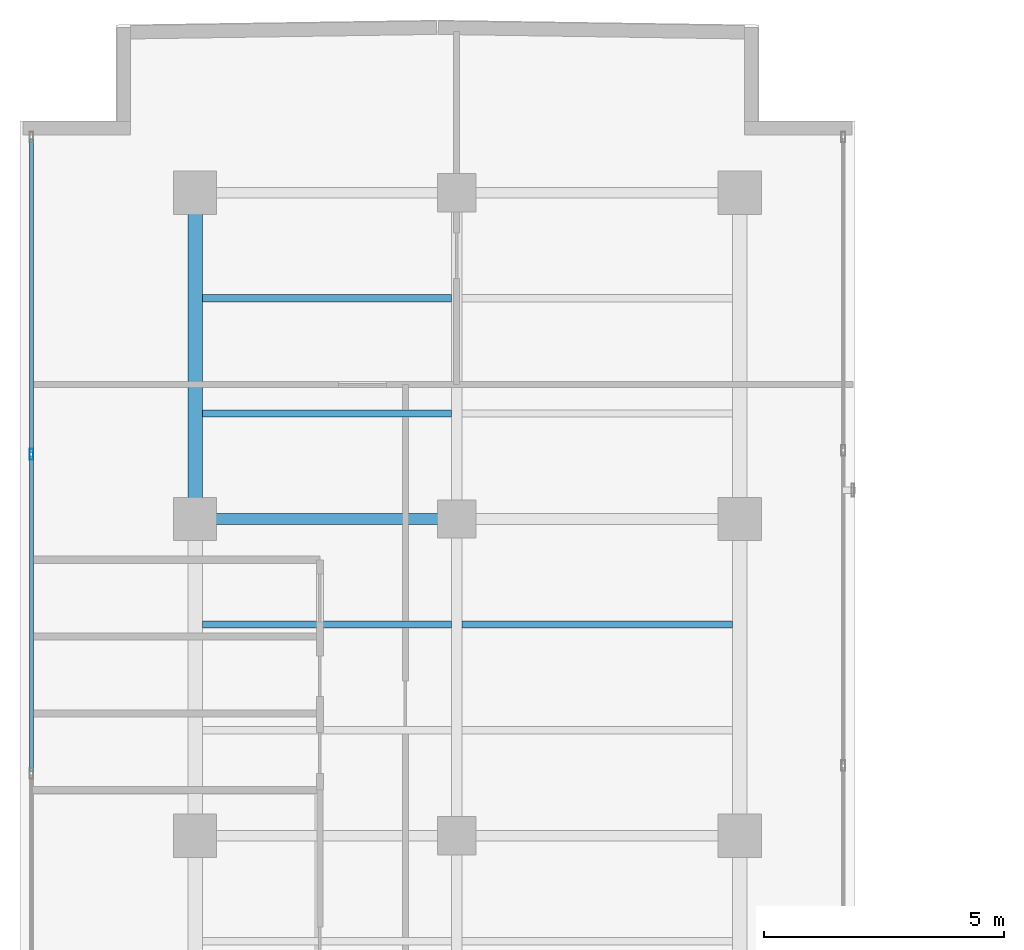
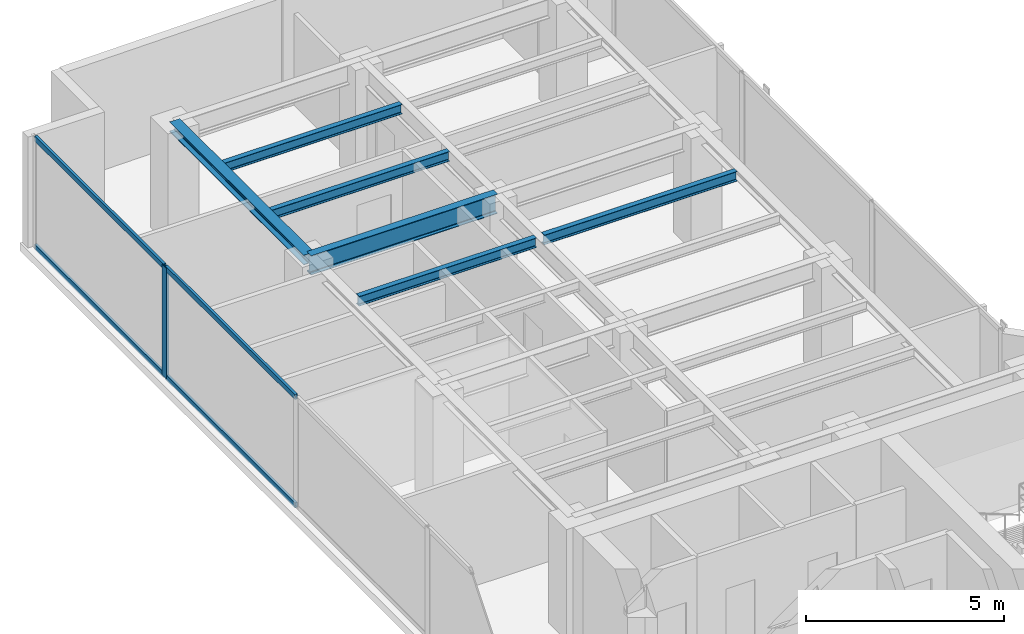
# One storey, part 12 of 23: 6 beams, 5 members, 1 element without a shape of its own.
"""IFC4 building model written with IfcOpenShell, lengths in metres."""

from ifc_helpers import new_model, si_unit, direction, frame, origin, origin_with_axes, origin_2d, place, context, subcontext, project, spatial, hollow_rectangle, i_section, extrude, source, transform, mapped, material, layer, layer_set, material_profile, profile_set, type_object, element, aggregate, save


model = new_model("IFC4")

# Units and contexts
model_context = context("Model", 3, precision=1e-05, world=origin(), true_north=direction((0.0, 1.0)))
body_context = subcontext(model_context, "Body", "Model", "MODEL_VIEW")
ifc_project = project(units=[si_unit("LENGTHUNIT", "METRE"), si_unit("AREAUNIT", "SQUARE_METRE"), si_unit("VOLUMEUNIT", "CUBIC_METRE"), si_unit("PLANEANGLEUNIT", "RADIAN"), si_unit("MASSUNIT", "GRAM", prefix="KILO")], contexts=[model_context])

# Site, building, storey
site_placement = place(None, origin())
site = spatial("IfcSite", under=ifc_project, at=site_placement, CompositionType="ELEMENT")
building_placement = place(site_placement, origin())
building = spatial("IfcBuilding", under=site, at=building_placement, Name="Kolvaren Waterfront Exchange", CompositionType="ELEMENT")
storey_placement = place(building_placement, frame((0.0, 0.0, 335.0)))
storey = spatial("IfcBuildingStorey", under=building, at=storey_placement, Name="L86", CompositionType="ELEMENT", Elevation=335.0)

# Beams
ifc_material_1 = material(Name="Steel S355", Category="steel")
ifc_material_profile_1 = material_profile(ifc_material_1, i_section(OverallWidth=0.300048828125, OverallDepth=0.300048828125, WebThickness=0.010986328125, FlangeThickness=0.01904296875, FilletRadius=0.027099609375, at=origin_2d()), Name="HEB300")
ifc_profile_set_1 = profile_set([ifc_material_profile_1], Name="Steel S355")
beam_type_1 = type_object("IfcBeamType", Name="STR-BM-HEB300", PredefinedType="SPANDREL", material=ifc_profile_set_1)
beam_1_placement = place(storey_placement, frame((7.449951171875, 37.800048828125, 3.27001953125), z_axis=(0.0, 1.0, 0.0), x_axis=(-1.0, 0.0, 0.0)))
element("IfcBeam", 1, at=beam_1_placement, inside=storey, type_object=beam_type_1, Name="L86 north-arm edge beam 3", PredefinedType="SPANDREL", context=body_context, shape_type="SweptSolid", body=[
    extrude(i_section(OverallWidth=0.300048828125, OverallDepth=0.300048828125, WebThickness=0.010986328125, FlangeThickness=0.01904296875, FilletRadius=0.027099609375, at=origin_2d()), origin(), (0.0, 0.0, 1.0), 6.800048828125),
])
ifc_material_profile_2 = material_profile(ifc_material_1, i_section(OverallWidth=0.14990234375, OverallDepth=0.300048828125, WebThickness=0.007080078125, FlangeThickness=0.0107421875, FilletRadius=0.014892578125, at=origin_2d()), Name="IPE300")
ifc_profile_set_2 = profile_set([ifc_material_profile_2], Name="Steel S355")
beam_type_2 = type_object("IfcBeamType", Name="STR-BM-IPE300", PredefinedType="JOIST", material=ifc_profile_set_2)
beam_2_placement = place(storey_placement, frame((7.60205078125, 35.60009765625, 3.27001953125), z_axis=(1.0, 0.0, 0.0), x_axis=(0.0, 1.0, 0.0)))
element("IfcBeam", 2, at=beam_2_placement, inside=storey, type_object=beam_type_2, Name="L86 north-arm composite joist 4A", PredefinedType="JOIST", context=body_context, shape_type="SweptSolid", body=[
    extrude(i_section(OverallWidth=0.14990234375, OverallDepth=0.300048828125, WebThickness=0.007080078125, FlangeThickness=0.0107421875, FilletRadius=0.014892578125, at=origin_2d()), origin(), (0.0, 0.0, 1.0), 5.18603515625),
])
beam_3_placement = place(storey_placement, frame((13.011962890625, 35.60009765625, 3.27001953125), z_axis=(1.0, 0.0, 0.0), x_axis=(0.0, 1.0, 0.0)))
element("IfcBeam", 3, at=beam_3_placement, inside=storey, type_object=beam_type_2, Name="L86 north-arm composite joist 4B", PredefinedType="JOIST", context=body_context, shape_type="SweptSolid", body=[
    extrude(i_section(OverallWidth=0.14990234375, OverallDepth=0.300048828125, WebThickness=0.007080078125, FlangeThickness=0.0107421875, FilletRadius=0.014892578125, at=origin_2d()), origin(), (0.0, 0.0, 1.0), 5.635986328125),
])
for number, where, z_axis, x_axis, name in (
    (4, (7.60205078125, 40.0, 3.27001953125), (1.0, 0.0, 0.0), (0.0, 1.0, 0.0), "L86 north-arm composite joist 5A"),
    (5, (7.60205078125, 42.39990234375, 3.27001953125), (1.0, 0.0, 0.0), (0.0, 1.0, 0.0), "L86 north-arm composite joist 6A"),
):
    element("IfcBeam", number, at=place(storey_placement, frame(where, z_axis=z_axis, x_axis=x_axis)), inside=storey, type_object=beam_type_2, Name=name, PredefinedType="JOIST", context=body_context, shape_type="SweptSolid", body=[
        extrude(i_section(OverallWidth=0.14990234375, OverallDepth=0.300048828125, WebThickness=0.007080078125, FlangeThickness=0.0107421875, FilletRadius=0.014892578125, at=origin_2d()), origin(), (0.0, 0.0, 1.0), 5.18603515625),
    ])
ifc_material_profile_3 = material_profile(ifc_material_1, i_section(OverallWidth=0.219970703125, OverallDepth=0.60009765625, WebThickness=0.011962890625, FlangeThickness=0.01904296875, FilletRadius=0.02392578125, at=origin_2d()), Name="IPE600")
ifc_profile_set_3 = profile_set([ifc_material_profile_3], Name="Steel S355")
beam_type_3 = type_object("IfcBeamType", Name="STR-BM-IPE600", PredefinedType="BEAM", material=ifc_profile_set_3)
beam_4_placement = place(storey_placement, frame((7.449951171875, 37.800048828125, 3.1201171875), z_axis=(1.0, 0.0, 0.0), x_axis=(0.0, 1.0, 0.0)))
element("IfcBeam", 6, at=beam_4_placement, inside=storey, type_object=beam_type_3, Name="L86 north-arm girder 3A", PredefinedType="BEAM", context=body_context, shape_type="SweptSolid", body=[
    extrude(i_section(OverallWidth=0.219970703125, OverallDepth=0.60009765625, WebThickness=0.011962890625, FlangeThickness=0.01904296875, FilletRadius=0.02392578125, at=origin_2d()), origin(), (0.0, 0.0, 1.0), 5.449951171875),
])

# Curtain wall, members
ifc_material_2 = material(Name="Anodised aluminium 6063-T6", Category="aluminium")
ifc_layer = layer(ifc_material_2, 0.219970703125, Name="Anodised aluminium 6063-T6")
ifc_layer_set = layer_set([ifc_layer], Name="Anodised aluminium 6063-T6")
curtain_wall_type = type_object("IfcCurtainWallType", Name="ARC-CW-SYS2", PredefinedType="USERDEFINED", material=ifc_layer_set)
curtain_wall_placement = place(storey_placement, origin())
curtain_wall = element("IfcCurtainWall", 7, at=curtain_wall_placement, inside=storey, type_object=curtain_wall_type, Name="L86 stick curtain wall CW2 (CW-L86-W)", ObjectType="STICK CURTAIN WALL", PredefinedType="USERDEFINED")
ifc_material_profile_4 = material_profile(ifc_material_2, hollow_rectangle(XDim=0.080078125, YDim=0.219970703125, WallThickness=0.0048828125, at=origin_2d()), Name="ALU-MUL-220x80x5")
ifc_profile_set_4 = profile_set([ifc_material_profile_4], Name="Anodised aluminium 6063-T6")
member_type_1 = type_object("IfcMemberType", Name="ARC-CWM-220", PredefinedType="MULLION", material=ifc_profile_set_4)
shared_shape_1 = source(origin_with_axes(), body_context, "Body", "SweptSolid", [
    extrude(hollow_rectangle(XDim=0.080078125, YDim=0.219970703125, WallThickness=0.0048828125, at=origin_2d()), origin(), (0.0, 0.0, 1.0), 3.419921875),
])
member_1_placement = place(storey_placement, frame((4.0400390625, 39.14990234375, 0.0), z_axis=(0.0, 0.0, 1.0), x_axis=(-1.0, 0.0, 0.0)))
member_1 = element("IfcMember", 8, at=member_1_placement, type_object=member_type_1, Name="CW2 mullion 6", PredefinedType="MULLION", context=body_context, shape_type="MappedRepresentation", body=[
    mapped(shared_shape_1, transform((0.0, 0.0, 0.0), x_axis=(1.0, 0.0, 0.0), y_axis=(0.0, 1.0, 0.0), z_axis=(0.0, 0.0, 1.0), scale=1.0)),
])
ifc_material_profile_5 = material_profile(ifc_material_2, hollow_rectangle(XDim=0.074951171875, YDim=0.159912109375, WallThickness=0.00439453125, at=origin_2d()), Name="ALU-TRN-160x75x4.5")
ifc_profile_set_5 = profile_set([ifc_material_profile_5], Name="Anodised aluminium 6063-T6")
member_type_2 = type_object("IfcMemberType", Name="ARC-CWT-160", PredefinedType="USERDEFINED", material=ifc_profile_set_5)
shared_shape_2 = source(origin_with_axes(), body_context, "Body", "SweptSolid", [
    extrude(hollow_rectangle(XDim=0.074951171875, YDim=0.159912109375, WallThickness=0.00439453125, at=origin_2d()), origin(), (0.0, 0.0, 1.0), 6.530029296875),
])
member_2_placement = place(storey_placement, frame((4.0400390625, 39.18994140625, 0.03759765625), z_axis=(0.0, 1.0, 0.0), x_axis=(-1.0, 0.0, 0.0)))
member_2 = element("IfcMember", 9, at=member_2_placement, type_object=member_type_2, Name="CW2 transom 6.1", ObjectType="TRANSOM", PredefinedType="USERDEFINED", context=body_context, shape_type="MappedRepresentation", body=[
    mapped(shared_shape_2, transform((0.0, 0.0, 0.0), x_axis=(1.0, 0.0, 0.0), y_axis=(0.0, 1.0, 0.0), z_axis=(0.0, 0.0, 1.0), scale=1.0)),
])
member_3_placement = place(storey_placement, frame((4.0400390625, 39.18994140625, 3.382568359375), z_axis=(0.0, 1.0, 0.0), x_axis=(-1.0, 0.0, 0.0)))
member_3 = element("IfcMember", 10, at=member_3_placement, type_object=member_type_2, Name="CW2 transom 6.2", ObjectType="TRANSOM", PredefinedType="USERDEFINED", context=body_context, shape_type="MappedRepresentation", body=[
    mapped(shared_shape_2, transform((0.0, 0.0, 0.0), x_axis=(1.0, 0.0, 0.0), y_axis=(0.0, 1.0, 0.0), z_axis=(0.0, 0.0, 1.0), scale=1.0)),
])
shared_shape_3 = source(origin_with_axes(), body_context, "Body", "SweptSolid", [
    extrude(hollow_rectangle(XDim=0.074951171875, YDim=0.159912109375, WallThickness=0.00439453125, at=origin_2d()), origin(), (0.0, 0.0, 1.0), 6.570068359375),
])
member_4_placement = place(storey_placement, frame((4.0400390625, 32.5400390625, 0.03759765625), z_axis=(0.0, 1.0, 0.0), x_axis=(-1.0, 0.0, 0.0)))
member_4 = element("IfcMember", 11, at=member_4_placement, type_object=member_type_2, Name="CW2 transom 5.1", ObjectType="TRANSOM", PredefinedType="USERDEFINED", context=body_context, shape_type="MappedRepresentation", body=[
    mapped(shared_shape_3, transform((0.0, 0.0, 0.0), x_axis=(1.0, 0.0, 0.0), y_axis=(0.0, 1.0, 0.0), z_axis=(0.0, 0.0, 1.0), scale=1.0)),
])
member_5_placement = place(storey_placement, frame((4.0400390625, 32.5400390625, 3.382568359375), z_axis=(0.0, 1.0, 0.0), x_axis=(-1.0, 0.0, 0.0)))
member_5 = element("IfcMember", 12, at=member_5_placement, type_object=member_type_2, Name="CW2 transom 5.2", ObjectType="TRANSOM", PredefinedType="USERDEFINED", context=body_context, shape_type="MappedRepresentation", body=[
    mapped(shared_shape_3, transform((0.0, 0.0, 0.0), x_axis=(1.0, 0.0, 0.0), y_axis=(0.0, 1.0, 0.0), z_axis=(0.0, 0.0, 1.0), scale=1.0)),
])
aggregate(curtain_wall, [member_1, member_4, member_5, member_2, member_3])

save(model, "model.ifc")
